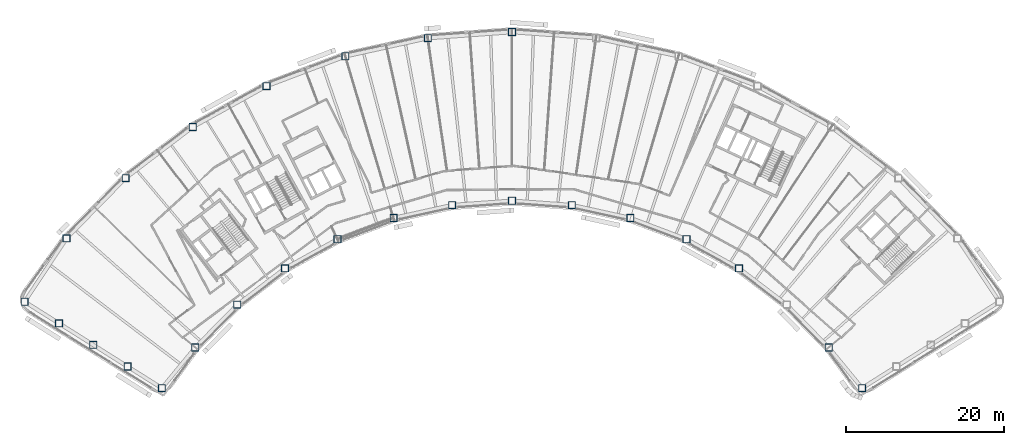
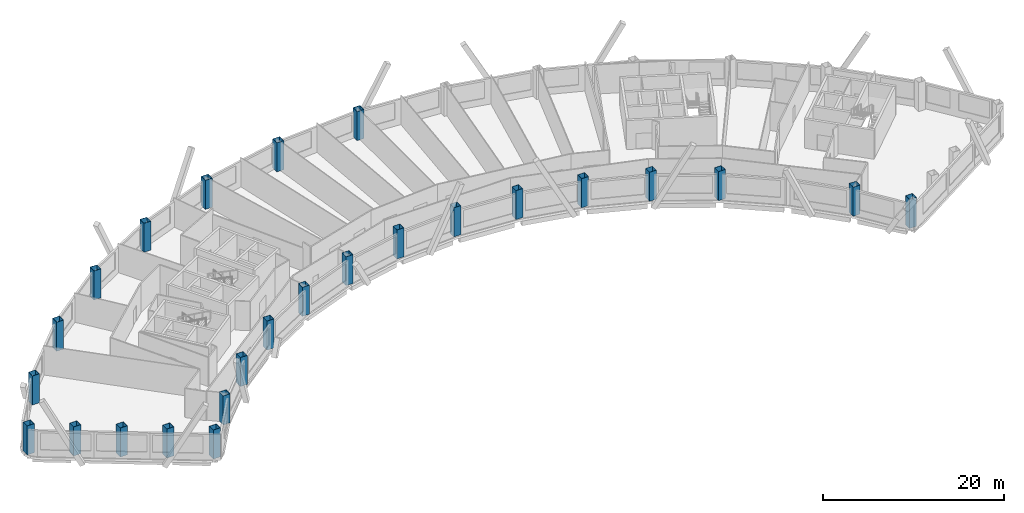
# One storey, part 1 of 13: 25 columns.
"""IFC4 building model written with IfcOpenShell, lengths in metres."""

import ifcopenshell
import ifcopenshell.guid

model = None  # the IFC model being written
_history = None  # IfcOwnerHistory: only IFC2X3 demands one
_inside = {}  # id of a spatial element -> (the spatial element, [elements in it])
_under = {}  # id of a project, library or spatial element -> (it, [spatial elements below it])
_declared = {}  # id of a project -> (the project, [libraries it declares])
_typed = {}  # id of a type object -> (the type object, [elements of that type])
_made_of = {}  # id of a material, layer set ... -> (it, [elements and type objects made of it])


def new_model(schema):
    """Start an empty IFC model of exactly this schema.

    Asked for "IFC4X3", IfcOpenShell would pick the latest addendum, in which some entities
    have other attributes; the version numbers below select the first issue.
    IFC2X3 requires an IfcOwnerHistory on every rooted entity: one is made here for all.
    """
    global model, _history
    if schema == "IFC4X3":
        model = ifcopenshell.file(schema_version=(4, 3, 0, 0))
    else:
        model = ifcopenshell.file(schema=schema)
    _inside.clear()
    _under.clear()
    _declared.clear()
    _typed.clear()
    _made_of.clear()
    _history = None
    if model.schema == "IFC2X3":
        org = make("IfcOrganization", Name="unknown")
        user = make(
            "IfcPersonAndOrganization",
            ThePerson=make("IfcPerson", FamilyName="unknown"),
            TheOrganization=org,
        )
        app = make(
            "IfcApplication",
            ApplicationDeveloper=org,
            Version="unknown",
            ApplicationFullName="unknown",
            ApplicationIdentifier="unknown",
        )
        _history = make(
            "IfcOwnerHistory",
            OwningUser=user,
            OwningApplication=app,
            ChangeAction="ADDED",
            CreationDate=0,
        )
    return model


def make(cls, **values):
    """One entity of the class cls with the attributes given. An attribute that is None is left unset."""
    return model.create_entity(
        cls, **{name: value for name, value in values.items() if value is not None}
    )


def rooted(cls, **values):
    """An entity with a GlobalId (a new one), such as an element, a storey or a relation."""
    return make(cls, GlobalId=ifcopenshell.guid.new(), OwnerHistory=_history, **values)


def si_unit(unit_type, name, prefix=None):
    """IfcSIUnit, for example si_unit("LENGTHUNIT", "METRE", prefix="MILLI")."""
    return make("IfcSIUnit", UnitType=unit_type, Prefix=prefix, Name=name)


def assignment(units):
    """IfcUnitAssignment: the units of a project."""
    return None if units is None else make("IfcUnitAssignment", Units=units)


def point(xyz):
    """IfcCartesianPoint."""
    return None if xyz is None else make("IfcCartesianPoint", Coordinates=xyz)


def direction(xyz):
    """IfcDirection."""
    return None if xyz is None else make("IfcDirection", DirectionRatios=xyz)


def frame(location, z_axis=None, x_axis=None):
    """IfcAxis2Placement3D, a coordinate frame: its origin and axes. An axis left out is left unset."""
    return make(
        "IfcAxis2Placement3D",
        Location=point(location),
        Axis=direction(z_axis),
        RefDirection=direction(x_axis),
    )


def frame_2d(location, x_axis=None):
    """IfcAxis2Placement2D, a coordinate frame in the plane: its origin and x axis."""
    return make(
        "IfcAxis2Placement2D", Location=point(location), RefDirection=direction(x_axis)
    )


def origin():
    """The frame at (0, 0, 0) with its axes left unset."""
    return frame((0.0, 0.0, 0.0))


def origin_2d():
    """The frame at (0, 0) in the plane with its x axis left unset."""
    return frame_2d((0.0, 0.0))


def place(relative_to, where):
    """IfcLocalPlacement: puts the frame where relative to a parent placement (None: the world)."""
    return make(
        "IfcLocalPlacement", PlacementRelTo=relative_to, RelativePlacement=where
    )


def context(
    kind, dimensions, precision=None, world=None, true_north=None, identifier=None
):
    """IfcGeometricRepresentationContext, for example the 3D "Model" context."""
    return make(
        "IfcGeometricRepresentationContext",
        ContextIdentifier=identifier,
        ContextType=kind,
        CoordinateSpaceDimension=dimensions,
        Precision=precision,
        WorldCoordinateSystem=world,
        TrueNorth=true_north,
    )


def subcontext(parent, identifier, kind, view, scale=None):
    """IfcGeometricRepresentationSubContext, for example "Body" below "Model"."""
    return make(
        "IfcGeometricRepresentationSubContext",
        ContextIdentifier=identifier,
        ContextType=kind,
        ParentContext=parent,
        TargetScale=scale,
        TargetView=view,
    )


def project(units=None, contexts=None):
    """IfcProject with its units and contexts."""
    return rooted(
        "IfcProject",
        Name="project",
        RepresentationContexts=contexts,
        UnitsInContext=assignment(units),
    )


def spatial(cls, under=None, at=None, **own):
    """A site, building, storey or space (cls), placed at a placement, below another one or the project."""
    s = rooted(cls, ObjectPlacement=at, **own)
    if under is not None:
        _under.setdefault(under.id(), (under, []))[1].append(s)
    return s


def profile(cls, at=None, kind="AREA", **sizes):
    """A parametric profile (cls). Its sizes go by their IFC names, for example OverallWidth=200.0."""
    return make(cls, ProfileType=kind, Position=at, **sizes)


def hollow_rectangle(**sizes):
    """IfcRectangleHollowProfileDef."""
    return profile("IfcRectangleHollowProfileDef", **sizes)


def extrude(swept, where, along, depth):
    """IfcExtrudedAreaSolid: the profile swept, set in the frame where, extruded along a direction by depth."""
    return make(
        "IfcExtrudedAreaSolid",
        SweptArea=swept,
        Position=where,
        ExtrudedDirection=direction(along),
        Depth=depth,
    )


def shape(context_of_items, identifier, shape_type, items):
    """IfcShapeRepresentation: the items that make up one representation, for example the "Body"."""
    return make(
        "IfcShapeRepresentation",
        ContextOfItems=context_of_items,
        RepresentationIdentifier=identifier,
        RepresentationType=shape_type,
        Items=items,
    )


def material(Name=None, Category=None):
    """IfcMaterial."""
    return make("IfcMaterial", Name=Name, Category=Category)


def material_profile(
    of_material, cross_section, Name=None, Category=None, Priority=None
):
    """IfcMaterialProfile: a cross section and its material."""
    return make(
        "IfcMaterialProfile",
        Name=Name,
        Material=of_material,
        Profile=cross_section,
        Priority=Priority,
        Category=Category,
    )


def profile_set(profiles, Name=None, composite=None):
    """IfcMaterialProfileSet."""
    return make(
        "IfcMaterialProfileSet",
        Name=Name,
        MaterialProfiles=profiles,
        CompositeProfile=composite,
    )


def made_of(thing, what):
    """Note that an element or type object is made of a material, layer set ...; save() writes the relation."""
    if what is not None:
        _made_of.setdefault(what.id(), (what, []))[1].append(thing)
    return thing


def type_object(cls, material=None, **own):
    """A type object (cls), such as IfcWallType, which elements share."""
    return made_of(rooted(cls, **own), material)


def element(
    cls,
    number,
    at=None,
    inside=None,
    cuts=None,
    type_object=None,
    material=None,
    context=None,
    identifier="Body",
    shape_type=None,
    held_by="IfcProductDefinitionShape",
    body=None,
    shapes=None,
    **own,
):
    """One element of the class cls, such as IfcWall. Its Tag is "e" and its number.

    at: its placement. inside: the storey or other place that contains it. cuts: it is an
    opening in that element (IfcRelVoidsElement). A single representation is given by context,
    identifier, shape_type and body (its items); several are given by shapes. held_by: the class
    of the entity that holds the representations. save() writes the other relations.
    """
    e = rooted(cls, Tag="e%d" % number, ObjectPlacement=at, **own)
    if body is not None:
        shapes = [shape(context, identifier, shape_type, body)]
    if shapes is not None:
        e.Representation = make(held_by, Representations=shapes)
    if inside is not None:
        _inside.setdefault(inside.id(), (inside, []))[1].append(e)
    if cuts is not None:
        rooted(
            "IfcRelVoidsElement", RelatingBuildingElement=cuts, RelatedOpeningElement=e
        )
    if type_object is not None:
        _typed.setdefault(type_object.id(), (type_object, []))[1].append(e)
    return made_of(e, material)


def aggregate(whole, parts):
    """IfcRelAggregates: a whole, such as a stair, and the parts it consists of."""
    return rooted("IfcRelAggregates", RelatingObject=whole, RelatedObjects=parts)


def save(model, path):
    """Write the relations noted so far, then the file.

    IfcRelAggregates (storeys below a building ...), IfcRelContainedInSpatialStructure (elements
    in a storey), IfcRelDefinesByType, IfcRelAssociatesMaterial and IfcRelDeclares: one each for
    every whole, place, type object, material and project.
    """
    for whole, parts in _under.values():
        aggregate(whole, parts)
    for where, things in _inside.values():
        rooted(
            "IfcRelContainedInSpatialStructure",
            RelatedElements=things,
            RelatingStructure=where,
        )
    for kind, things in _typed.values():
        rooted("IfcRelDefinesByType", RelatedObjects=things, RelatingType=kind)
    for what, things in _made_of.values():
        rooted("IfcRelAssociatesMaterial", RelatedObjects=things, RelatingMaterial=what)
    for by, libraries in _declared.values():
        rooted("IfcRelDeclares", RelatingContext=by, RelatedDefinitions=libraries)
    model.write(path)


model = new_model("IFC4")

# Units and contexts
model_context = context("Model", 3, precision=1e-05, world=origin(), true_north=direction((0.0, 1.0)))
body_context = subcontext(model_context, "Body", "Model", "MODEL_VIEW")
ifc_project = project(units=[si_unit("LENGTHUNIT", "METRE"), si_unit("AREAUNIT", "SQUARE_METRE"), si_unit("VOLUMEUNIT", "CUBIC_METRE"), si_unit("PLANEANGLEUNIT", "RADIAN"), si_unit("MASSUNIT", "GRAM", prefix="KILO")], contexts=[model_context])

# Site, building, storey
site_placement = place(None, origin())
site = spatial("IfcSite", under=ifc_project, at=site_placement, CompositionType="ELEMENT")
building_placement = place(site_placement, origin())
building = spatial("IfcBuilding", under=site, at=building_placement, Name="Tuul Gate Civic Tower", CompositionType="ELEMENT")
storey_placement = place(building_placement, frame((0.0, 0.0, 180.5)))
storey = spatial("IfcBuildingStorey", under=building, at=storey_placement, Name="Level 41", CompositionType="ELEMENT", Elevation=180.5)

# Columns
ifc_material = material(Name="Steel S355", Category="steel")
ifc_material_profile = material_profile(ifc_material, hollow_rectangle(XDim=0.89990234375, YDim=0.89990234375, WallThickness=0.031982421875, at=origin_2d()), Name="BOX900x900x32")
ifc_profile_set = profile_set([ifc_material_profile], Name="Steel S355")
column_type = type_object("IfcColumnType", Name="STR-COLUMN-BOX900x900x32", PredefinedType="COLUMN", material=ifc_profile_set)
for number, where, z_axis, x_axis, name in (
    (1, (0.989990234375, 13.615966796875, 0.0), (0.0, 0.0, 1.0), (1.0, 0.0, 0.0), "Column"),
    (2, (-9.659912109375, 12.843994140625, 0.0), (0.0, 0.0, 1.0), (1.0, 0.0, 0.0), "Column"),
    (3, (-20.0869140625, 10.5458984375, 0.0), (0.0, 0.0, 1.0), (1.0, 0.0, 0.0), "Column"),
    (4, (-30.073974609375, 6.77001953125, 0.0), (0.0, 0.0, 1.0), (1.0, 0.0, 0.0), "Column"),
    (5, (-39.412109375, 1.593017578125, 0.0), (0.0, 0.0, 1.0), (1.0, 0.0, 0.0), "Column"),
    (6, (-47.907958984375, -4.875, 0.0), (0.0, 0.0, 1.0), (1.0, 0.0, 0.0), "Column"),
    (7, (-55.382080078125, -12.5, 0.0), (0.0, 0.0, 1.0), (1.0, 0.0, 0.0), "Column"),
    (8, (-60.680908203125, -20.512939453125, 0.0), (0.0, 0.0, 1.0), (1.0, 0.0, 0.0), "Column"),
    (9, (-56.339111328125, -23.2470703125, 0.0), (0.0, 0.0, 1.0), (1.0, 0.0, 0.0), "Column"),
    (10, (-51.99609375, -25.98193359375, 0.0), (0.0, 0.0, 1.0), (1.0, 0.0, 0.0), "Column"),
    (11, (-47.654052734375, -28.716064453125, 0.0), (0.0, 0.0, 1.0), (1.0, 0.0, 0.0), "Column"),
    (12, (-43.31103515625, -31.450927734375, 0.0), (0.0, 0.0, 1.0), (1.0, 0.0, 0.0), "Column"),
    (13, (-39.091064453125, -26.30908203125, 0.0), (0.0, 0.0, 1.0), (1.0, 0.0, 0.0), "Column"),
    (14, (-33.777099609375, -20.886962890625, 0.0), (0.0, 0.0, 1.0), (1.0, 0.0, 0.0), "Column"),
    (15, (-27.737060546875, -16.2880859375, 0.0), (0.0, 0.0, 1.0), (1.0, 0.0, 0.0), "Column"),
    (16, (-21.096923828125, -12.60791015625, 0.0), (0.0, 0.0, 1.0), (1.0, 0.0, 0.0), "Column"),
    (17, (-13.99609375, -9.923095703125, 0.0), (0.0, 0.0, 1.0), (1.0, 0.0, 0.0), "Column"),
    (18, (-6.58203125, -8.2890625, 0.0), (0.0, 0.0, 1.0), (1.0, 0.0, 0.0), "Column"),
    (19, (0.989990234375, -7.739990234375, 0.0), (0.0, 0.0, 1.0), (1.0, 0.0, 0.0), "Column"),
    (20, (8.56201171875, -8.2890625, 0.0), (0.0, 0.0, 1.0), (1.0, 0.0, 0.0), "Column"),
    (21, (15.97607421875, -9.923095703125, 0.0), (0.0, 0.0, 1.0), (1.0, 0.0, 0.0), "Column"),
    (22, (23.076904296875, -12.60791015625, 0.0), (0.0, 0.0, 1.0), (1.0, 0.0, 0.0), "Column"),
    (23, (29.716064453125, -16.2880859375, 0.0), (0.0, 0.0, 1.0), (1.0, 0.0, 0.0), "Column"),
    (24, (41.071044921875, -26.30908203125, 0.0), (0.0, 0.0, 1.0), (1.0, 0.0, 0.0), "Column"),
    (25, (45.291015625, -31.450927734375, 0.0), (0.0, 0.0, 1.0), (1.0, 0.0, 0.0), "Column"),
):
    element("IfcColumn", number, at=place(storey_placement, frame(where, z_axis=z_axis, x_axis=x_axis)), inside=storey, type_object=column_type, Name=name, PredefinedType="COLUMN", context=body_context, shape_type="SweptSolid", body=[
        extrude(hollow_rectangle(XDim=0.89990234375, YDim=0.89990234375, WallThickness=0.031982421875, at=origin_2d()), origin(), (0.0, 0.0, 1.0), 3.89990234375),
    ])

save(model, "model.ifc")
